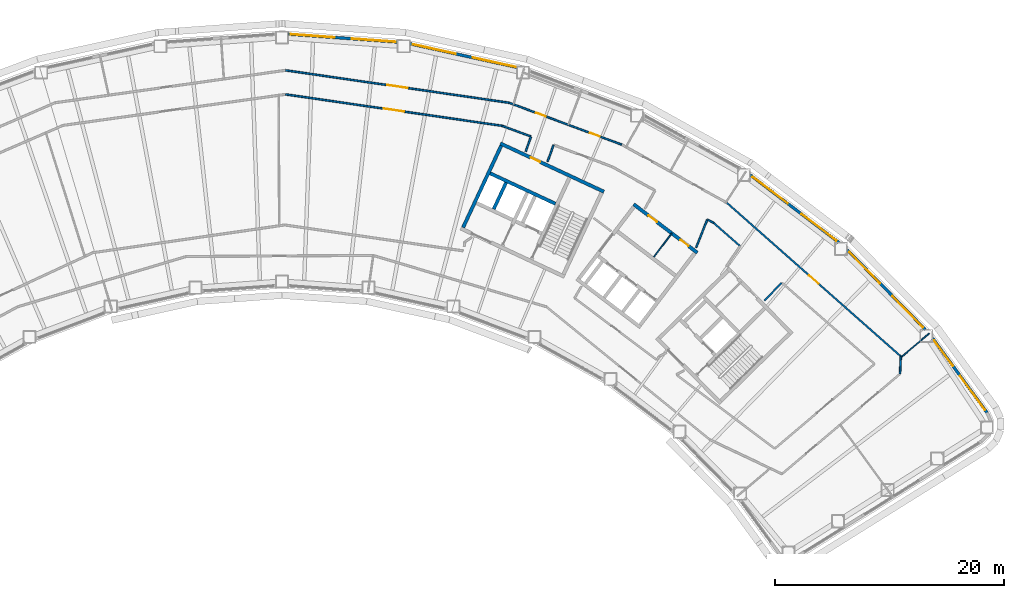
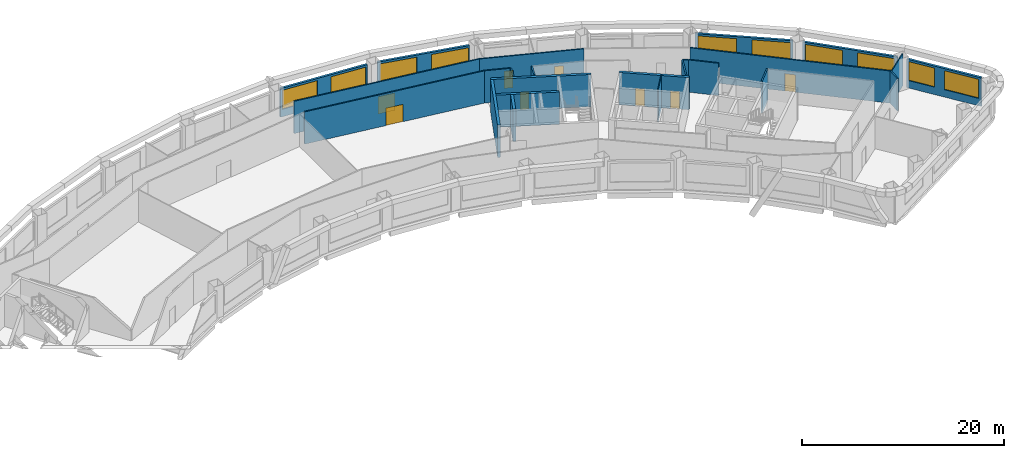
# One storey, part 8 of 12: 24 walls, 10 windows, 8 doors, 18 openings.
"""IFC4 building model written with IfcOpenShell, lengths in metres."""

from ifc_helpers import new_model, si_unit, direction, frame, frame_2d, origin, place, context, subcontext, project, spatial, rectangle, extrude, material, layer, layer_set, type_object, element, fill, save


model = new_model("IFC4")

# Units and contexts
model_context = context("Model", 3, precision=1e-05, world=origin(), true_north=direction((0.0, 1.0)))
body_context = subcontext(model_context, "Body", "Model", "MODEL_VIEW")
ifc_project = project(units=[si_unit("LENGTHUNIT", "METRE"), si_unit("AREAUNIT", "SQUARE_METRE"), si_unit("VOLUMEUNIT", "CUBIC_METRE"), si_unit("PLANEANGLEUNIT", "RADIAN"), si_unit("MASSUNIT", "GRAM", prefix="KILO")], contexts=[model_context])

# Site, building, storey
site_placement = place(None, origin())
site = spatial("IfcSite", under=ifc_project, at=site_placement, CompositionType="ELEMENT")
building_placement = place(site_placement, origin())
building = spatial("IfcBuilding", under=site, at=building_placement, Name="Tuul Gate Civic Tower", CompositionType="ELEMENT")
storey_placement = place(building_placement, frame((0.0, 0.0, 103.5)))
storey = spatial("IfcBuildingStorey", under=building, at=storey_placement, Name="Level 23", CompositionType="ELEMENT", Elevation=103.5)

# Wall
ifc_material_1 = material(Name="Concrete C50/60", Category="concrete")
ifc_layer_1 = layer(ifc_material_1, 0.300048828125)
ifc_layer_set_1 = layer_set([ifc_layer_1], Name="Concrete C50/60")
wall_type_1 = type_object("IfcWallType", Name="Core wall C50/60", PredefinedType="SHEAR", material=ifc_layer_set_1)
wall_1_placement = place(storey_placement, frame((33.75, -0.873779296875, 0.0), z_axis=(0.0, 0.0, 1.0), x_axis=(-0.906300917592, 0.422632992999, 0.0)))
element("IfcWall", 1, at=wall_1_placement, inside=storey, type_object=wall_type_1, Name="Core wall", PredefinedType="SHEAR", context=body_context, shape_type="SweptSolid", body=[
    extrude(rectangle(XDim=6.300048828125, YDim=0.300048828125, at=frame_2d((3.14990234375, 0.0))), origin(), (0.0, 0.0, 1.0), 3.89990234375),
])

# Wall, opening, door
wall_2_placement = place(storey_placement, frame((37.993408203125, 0.181884765625, 0.0), z_axis=(0.0, 0.0, 1.0), x_axis=(-0.906310338845, 0.422612789327, 0.0)))
wall_2 = element("IfcWall", 2, at=wall_2_placement, inside=storey, type_object=wall_type_1, Name="Core wall", PredefinedType="SHEAR", context=body_context, shape_type="SweptSolid", body=[
    extrude(rectangle(XDim=9.999755859375, YDim=0.300048828125, at=frame_2d((5.0, 0.0))), origin(), (0.0, 0.0, 1.0), 3.89990234375),
])
opening_1_placement = place(wall_2_placement, frame((6.175048828125, 0.0, 0.0)))
opening_1 = element("IfcOpeningElement", 3, at=opening_1_placement, cuts=wall_2, Name="Opening G-D31", PredefinedType="OPENING", context=body_context, shape_type="SweptSolid", body=[
    extrude(rectangle(XDim=0.89990234375, YDim=2.10009765625, at=frame_2d((0.449951171875, 1.050048828125))), frame((0.0, 0.16015625, 0.0), z_axis=(0.0, -1.0, 0.0), x_axis=(1.0, 0.0, 0.0)), (0.0, 0.0, 1.0), 0.320068359375),
])
ifc_material_2 = material(Name="Timber door leaf", Category="wood")
door_type_1 = type_object("IfcDoorType", Name="Door D09", OperationType="NOTDEFINED", PredefinedType="DOOR", material=ifc_material_2)
door_1_placement = place(opening_1_placement, origin())
door_1 = element("IfcDoor", 4, at=door_1_placement, inside=storey, type_object=door_type_1, Name="Door G-D31", OperationType="SINGLE_SWING_LEFT", OverallHeight=2.10009765625, OverallWidth=0.89990234375, PredefinedType="DOOR", context=body_context, shape_type="SweptSolid", body=[
    extrude(rectangle(XDim=0.89990234375, YDim=2.10009765625, at=frame_2d((0.449951171875, 1.050048828125))), frame((0.0, 0.02490234375, 0.0), z_axis=(0.0, -1.0, 0.0), x_axis=(1.0, 0.0, 0.0)), (0.0, 0.0, 1.0), 0.050048828125),
])
fill(opening_1, door_1)

# Walls
wall_3_placement = place(storey_placement, frame((28.349365234375, -1.33447265625, 0.0), z_axis=(0.0, 0.0, 1.0), x_axis=(0.422612891016, 0.906310291427, 0.0)))
element("IfcWall", 5, at=wall_3_placement, inside=storey, type_object=wall_type_1, Name="Core wall", PredefinedType="SHEAR", context=body_context, shape_type="SweptSolid", body=[
    extrude(rectangle(XDim=2.550048828125, YDim=0.300048828125, at=frame_2d((1.27490234375, 0.0))), origin(), (0.0, 0.0, 1.0), 3.89990234375),
])
wall_4_placement = place(storey_placement, frame((25.66455078125, -2.951416015625, 0.0), z_axis=(0.0, 0.0, 1.0), x_axis=(0.422582604137, 0.906324413596, 0.0)))
element("IfcWall", 6, at=wall_4_placement, inside=storey, type_object=wall_type_1, Name="Core wall", PredefinedType="SHEAR", context=body_context, shape_type="SweptSolid", body=[
    extrude(rectangle(XDim=7.89990234375, YDim=0.300048828125, at=frame_2d((3.949951171875, 0.0))), origin(), (0.0, 0.0, 1.0), 3.89990234375),
])
ifc_material_3 = material(Name="Gypsum board partition")
ifc_layer_2 = layer(ifc_material_3, 0.14990234375)
ifc_layer_set_2 = layer_set([ifc_layer_2], Name="Gypsum board partition")
wall_type_2 = type_object("IfcWallType", Name="Corridor wall P150", PredefinedType="PARTITIONING", material=ifc_layer_set_2)
wall_5_placement = place(storey_placement, frame((63.896728515625, -15.7587890625, 0.0), z_axis=(0.0, 0.0, 1.0), x_axis=(0.044386550427, 0.999014431398, 0.0)))
element("IfcWall", 7, at=wall_5_placement, inside=storey, type_object=wall_type_2, Name="p005", PredefinedType="PARTITIONING", context=body_context, shape_type="SweptSolid", body=[
    extrude(rectangle(XDim=1.5400390625, YDim=0.14990234375, at=frame_2d((0.77001953125, 0.0))), origin(), (0.0, 0.0, 1.0), 3.89990234375),
])

# Wall, opening, door
wall_6_placement = place(storey_placement, frame((48.749755859375, -0.790283203125, 0.0), z_axis=(0.0, 0.0, 1.0), x_axis=(0.749724450123, -0.66175014083, 0.0)))
wall_6 = element("IfcWall", 8, at=wall_6_placement, inside=storey, type_object=wall_type_2, Name="p006", PredefinedType="PARTITIONING", context=body_context, shape_type="SweptSolid", body=[
    extrude(rectangle(XDim=20.294677734375, YDim=0.14990234375, at=frame_2d((10.1474609375, 0.0))), origin(), (0.0, 0.0, 1.0), 3.89990234375),
])
opening_2_placement = place(wall_6_placement, frame((9.59716796875, 0.0, 0.0)))
opening_2 = element("IfcOpeningElement", 9, at=opening_2_placement, cuts=wall_6, Name="Opening G-D01", PredefinedType="OPENING", context=body_context, shape_type="SweptSolid", body=[
    extrude(rectangle(XDim=1.10009765625, YDim=2.10009765625, at=frame_2d((0.550048828125, 1.050048828125))), frame((0.0, 0.0849609375, 0.0), z_axis=(0.0, -1.0, 0.0), x_axis=(1.0, 0.0, 0.0)), (0.0, 0.0, 1.0), 0.169921875),
])
ifc_material_4 = material(Name="Timber door leaf", Category="wood")
door_type_2 = type_object("IfcDoorType", Name="Door D11", OperationType="NOTDEFINED", PredefinedType="DOOR", material=ifc_material_4)
door_2_placement = place(opening_2_placement, origin())
door_2 = element("IfcDoor", 10, at=door_2_placement, inside=storey, type_object=door_type_2, Name="Door G-D01", OperationType="SINGLE_SWING_RIGHT", OverallHeight=2.10009765625, OverallWidth=1.10009765625, PredefinedType="DOOR", context=body_context, shape_type="SweptSolid", body=[
    extrude(rectangle(XDim=1.10009765625, YDim=2.10009765625, at=frame_2d((0.550048828125, 1.050048828125))), frame((0.0, 0.02490234375, 0.0), z_axis=(0.0, -1.0, 0.0), x_axis=(1.0, 0.0, 0.0)), (0.0, 0.0, 1.0), 0.050048828125),
])
fill(opening_2, door_2)

# Wall, openings, doors
wall_7_placement = place(storey_placement, frame((29.68896484375, 7.966796875, 0.0), z_axis=(0.0, 0.0, 1.0), x_axis=(0.937344267912, -0.348404539886, 0.0)))
wall_7 = element("IfcWall", 11, at=wall_7_placement, inside=storey, type_object=wall_type_2, Name="p010", PredefinedType="PARTITIONING", context=body_context, shape_type="SweptSolid", body=[
    extrude(rectangle(XDim=10.515380859375, YDim=0.14990234375, at=frame_2d((5.2578125, 0.0))), origin(), (0.0, 0.0, 1.0), 3.89990234375),
])
opening_3_placement = place(wall_7_placement, frame((2.525146484375, 0.0, 0.0)))
opening_3 = element("IfcOpeningElement", 12, at=opening_3_placement, cuts=wall_7, Name="Opening G-D04", PredefinedType="OPENING", context=body_context, shape_type="SweptSolid", body=[
    extrude(rectangle(XDim=0.89990234375, YDim=2.10009765625, at=frame_2d((0.449951171875, 1.050048828125))), frame((0.0, 0.0849609375, 0.0), z_axis=(0.0, -1.0, 0.0), x_axis=(1.0, 0.0, 0.0)), (0.0, 0.0, 1.0), 0.169921875),
])
opening_4_placement = place(wall_7_placement, frame((7.562255859375, 0.0, 0.0)))
opening_4 = element("IfcOpeningElement", 13, at=opening_4_placement, cuts=wall_7, Name="Opening G-D23", PredefinedType="OPENING", context=body_context, shape_type="SweptSolid", body=[
    extrude(rectangle(XDim=0.89990234375, YDim=2.10009765625, at=frame_2d((0.449951171875, 1.050048828125))), frame((0.0, 0.0849609375, 0.0), z_axis=(0.0, -1.0, 0.0), x_axis=(1.0, 0.0, 0.0)), (0.0, 0.0, 1.0), 0.169921875),
])
door_3_placement = place(opening_3_placement, origin())
door_3 = element("IfcDoor", 14, at=door_3_placement, inside=storey, type_object=door_type_1, Name="Door G-D04", OperationType="SINGLE_SWING_RIGHT", OverallHeight=2.10009765625, OverallWidth=0.89990234375, PredefinedType="DOOR", context=body_context, shape_type="SweptSolid", body=[
    extrude(rectangle(XDim=0.89990234375, YDim=2.10009765625, at=frame_2d((0.449951171875, 1.050048828125))), frame((0.0, 0.02490234375, 0.0), z_axis=(0.0, -1.0, 0.0), x_axis=(1.0, 0.0, 0.0)), (0.0, 0.0, 1.0), 0.050048828125),
])
fill(opening_3, door_3)
door_4_placement = place(opening_4_placement, origin())
door_4 = element("IfcDoor", 15, at=door_4_placement, inside=storey, type_object=door_type_1, Name="Door G-D23", OperationType="SINGLE_SWING_RIGHT", OverallHeight=2.10009765625, OverallWidth=0.89990234375, PredefinedType="DOOR", context=body_context, shape_type="SweptSolid", body=[
    extrude(rectangle(XDim=0.89990234375, YDim=2.10009765625, at=frame_2d((0.449951171875, 1.050048828125))), frame((0.0, 0.02490234375, 0.0), z_axis=(0.0, -1.0, 0.0), x_axis=(1.0, 0.0, 0.0)), (0.0, 0.0, 1.0), 0.050048828125),
])
fill(opening_4, door_4)

# Wall, opening, door
wall_8_placement = place(storey_placement, frame((10.135986328125, 10.806640625, 0.0), z_axis=(0.0, 0.0, 1.0), x_axis=(0.989616882265, -0.143730394617, 0.0)))
wall_8 = element("IfcWall", 16, at=wall_8_placement, inside=storey, type_object=wall_type_2, Name="p014", PredefinedType="PARTITIONING", context=body_context, shape_type="SweptSolid", body=[
    extrude(rectangle(XDim=19.758056640625, YDim=0.14990234375, at=frame_2d((9.87890625, 0.0))), origin(), (0.0, 0.0, 1.0), 3.89990234375),
])
opening_5_placement = place(wall_8_placement, frame((8.97900390625, 0.0, 0.0)))
opening_5 = element("IfcOpeningElement", 17, at=opening_5_placement, cuts=wall_8, Name="Opening G-D05", PredefinedType="OPENING", context=body_context, shape_type="SweptSolid", body=[
    extrude(rectangle(XDim=1.800048828125, YDim=2.10009765625, at=frame_2d((0.89990234375, 1.050048828125))), frame((0.0, 0.0849609375, 0.0), z_axis=(0.0, -1.0, 0.0), x_axis=(1.0, 0.0, 0.0)), (0.0, 0.0, 1.0), 0.169921875),
])
ifc_material_5 = material(Name="Timber door leaf, double", Category="wood")
door_type_3 = type_object("IfcDoorType", Name="Door D18", OperationType="DOUBLE_DOOR_SINGLE_SWING", PredefinedType="DOOR", material=ifc_material_5)
door_5_placement = place(opening_5_placement, origin())
door_5 = element("IfcDoor", 18, at=door_5_placement, inside=storey, type_object=door_type_3, Name="Door G-D05", OperationType="DOUBLE_DOOR_SINGLE_SWING", OverallHeight=2.10009765625, OverallWidth=1.800048828125, PredefinedType="DOOR", context=body_context, shape_type="SweptSolid", body=[
    extrude(rectangle(XDim=1.800048828125, YDim=2.10009765625, at=frame_2d((0.89990234375, 1.050048828125))), frame((0.0, 0.02490234375, 0.0), z_axis=(0.0, -1.0, 0.0), x_axis=(1.0, 0.0, 0.0)), (0.0, 0.0, 1.0), 0.050048828125),
])
fill(opening_5, door_5)

# Walls
wall_9_placement = place(storey_placement, frame((52.029296875, -9.351318359375, 0.0), z_axis=(0.0, 0.0, 1.0), x_axis=(0.694027578759, 0.719948414764, 0.0)))
element("IfcWall", 19, at=wall_9_placement, inside=storey, type_object=wall_type_2, Name="p043", PredefinedType="PARTITIONING", context=body_context, shape_type="SweptSolid", body=[
    extrude(rectangle(XDim=2.17578125, YDim=0.14990234375, at=frame_2d((1.087890625, 0.0))), origin(), (0.0, 0.0, 1.0), 3.89990234375),
])
wall_10_placement = place(storey_placement, frame((47.600830078125, -2.55517578125, 0.0), z_axis=(0.0, 0.0, 1.0), x_axis=(0.752088378546, -0.659062266297, 0.0)))
element("IfcWall", 20, at=wall_10_placement, inside=storey, type_object=wall_type_2, Name="p044", PredefinedType="PARTITIONING", context=body_context, shape_type="SweptSolid", body=[
    extrude(rectangle(XDim=3.036376953125, YDim=0.14990234375, at=frame_2d((1.51806640625, 0.0))), origin(), (0.0, 0.0, 1.0), 3.89990234375),
])
wall_11_placement = place(storey_placement, frame((46.061279296875, -4.701171875, 0.0), z_axis=(0.0, 0.0, 1.0), x_axis=(0.369736596623, 0.929136614884, 0.0)))
element("IfcWall", 21, at=wall_11_placement, inside=storey, type_object=wall_type_2, Name="p053", PredefinedType="PARTITIONING", context=body_context, shape_type="SweptSolid", body=[
    extrude(rectangle(XDim=2.6220703125, YDim=0.14990234375, at=frame_2d((1.31103515625, 0.0))), origin(), (0.0, 0.0, 1.0), 3.89990234375),
])
wall_12_placement = place(storey_placement, frame((47.05908203125, -2.2548828125, 0.0), z_axis=(0.0, 0.0, 1.0), x_axis=(0.874998277673, -0.484126031184, 0.0)))
element("IfcWall", 22, at=wall_12_placement, inside=storey, type_object=wall_type_2, Name="p055", PredefinedType="PARTITIONING", context=body_context, shape_type="SweptSolid", body=[
    extrude(rectangle(XDim=0.615234375, YDim=0.14990234375, at=frame_2d((0.3076171875, 0.0))), origin(), (0.0, 0.0, 1.0), 3.89990234375),
])
wall_13_placement = place(storey_placement, frame((33.059326171875, 2.814453125, 0.0), z_axis=(0.0, 0.0, 1.0), x_axis=(0.337142214413, 0.941453730813, 0.0)))
element("IfcWall", 23, at=wall_13_placement, inside=storey, type_object=wall_type_2, Name="p058", PredefinedType="PARTITIONING", context=body_context, shape_type="SweptSolid", body=[
    extrude(rectangle(XDim=1.53515625, YDim=0.14990234375, at=frame_2d((0.767578125, 0.0))), origin(), (0.0, 0.0, 1.0), 3.89990234375),
])
wall_14_placement = place(storey_placement, frame((29.093017578125, 5.94775390625, 0.0), z_axis=(0.0, 0.0, 1.0), x_axis=(0.937354495684, -0.348377021948, 0.0)))
element("IfcWall", 24, at=wall_14_placement, inside=storey, type_object=wall_type_2, Name="p059", PredefinedType="PARTITIONING", context=body_context, shape_type="SweptSolid", body=[
    extrude(rectangle(XDim=2.670654296875, YDim=0.14990234375, at=frame_2d((1.33544921875, 0.0))), origin(), (0.0, 0.0, 1.0), 3.89990234375),
])

# Wall, opening, door
wall_15_placement = place(storey_placement, frame((10.134521484375, 8.700927734375, 0.0), z_axis=(0.0, 0.0, 1.0), x_axis=(0.989617506615, -0.143726095753, 0.0)))
wall_15 = element("IfcWall", 25, at=wall_15_placement, inside=storey, type_object=wall_type_2, Name="p064", PredefinedType="PARTITIONING", context=body_context, shape_type="SweptSolid", body=[
    extrude(rectangle(XDim=19.157470703125, YDim=0.14990234375, at=frame_2d((9.57861328125, 0.0))), origin(), (0.0, 0.0, 1.0), 3.89990234375),
])
opening_6_placement = place(wall_15_placement, frame((8.6787109375, 0.0, 0.0)))
opening_6 = element("IfcOpeningElement", 26, at=opening_6_placement, cuts=wall_15, Name="Opening G-D17", PredefinedType="OPENING", context=body_context, shape_type="SweptSolid", body=[
    extrude(rectangle(XDim=1.800048828125, YDim=2.10009765625, at=frame_2d((0.89990234375, 1.050048828125))), frame((0.0, 0.0849609375, 0.0), z_axis=(0.0, -1.0, 0.0), x_axis=(1.0, 0.0, 0.0)), (0.0, 0.0, 1.0), 0.169921875),
])
door_6_placement = place(opening_6_placement, frame((1.800048828125, 0.0, 0.0), z_axis=(0.0, 0.0, 1.0), x_axis=(-1.0, 0.0, 0.0)))
door_6 = element("IfcDoor", 27, at=door_6_placement, inside=storey, type_object=door_type_3, Name="Door G-D17", OperationType="DOUBLE_DOOR_SINGLE_SWING", OverallHeight=2.10009765625, OverallWidth=1.800048828125, PredefinedType="DOOR", context=body_context, shape_type="SweptSolid", body=[
    extrude(rectangle(XDim=1.800048828125, YDim=2.10009765625, at=frame_2d((0.900146484375, 1.050048828125))), frame((0.0, 0.02490234375, 0.0), z_axis=(0.0, -1.0, 0.0), x_axis=(1.0, 0.0, 0.0)), (0.0, 0.0, 1.0), 0.050048828125),
])
fill(opening_6, door_6)

# Wall
wall_16_placement = place(storey_placement, frame((31.148193359375, 3.705078125, 0.0), z_axis=(0.0, 0.0, 1.0), x_axis=(0.336789091407, 0.941580112316, 0.0)))
element("IfcWall", 28, at=wall_16_placement, inside=storey, type_object=wall_type_2, Name="p065", PredefinedType="PARTITIONING", context=body_context, shape_type="SweptSolid", body=[
    extrude(rectangle(XDim=1.366455078125, YDim=0.14990234375, at=frame_2d((0.68310546875, 0.0))), origin(), (0.0, 0.0, 1.0), 3.89990234375),
])

# Wall, openings, windows
ifc_material_6 = material(Name="Precast concrete C40/50", Category="concrete")
ifc_layer_3 = layer(ifc_material_6, 0.25)
ifc_layer_set_3 = layer_set([ifc_layer_3], Name="Precast concrete C40/50")
wall_type_3 = type_object("IfcWallType", Name="External wall", PredefinedType="STANDARD", material=ifc_layer_set_3)
wall_17_placement = place(storey_placement, frame((71.51806640625, -19.15869140625, 0.0), z_axis=(0.0, 0.0, 1.0), x_axis=(-0.589826474226, 0.807530018205, 0.0)))
wall_17 = element("IfcWall", 29, at=wall_17_placement, inside=storey, type_object=wall_type_3, Name="External wall", PredefinedType="STANDARD", context=body_context, shape_type="SweptSolid", body=[
    extrude(rectangle(XDim=8.082275390625, YDim=0.25, at=frame_2d((4.041015625, 0.0))), origin(), (0.0, 0.0, 1.0), 3.449951171875),
])
opening_7_placement = place(wall_17_placement, frame((0.30078125, 0.0, 0.89990234375)))
opening_7 = element("IfcOpeningElement", 30, at=opening_7_placement, cuts=wall_17, Name="Opening W21", PredefinedType="OPENING", context=body_context, shape_type="SweptSolid", body=[
    extrude(rectangle(XDim=3.699951171875, YDim=2.300048828125, at=frame_2d((1.85009765625, 1.14990234375))), frame((0.0, 0.135009765625, 0.0), z_axis=(0.0, -1.0, 0.0), x_axis=(1.0, 0.0, 0.0)), (0.0, 0.0, 1.0), 0.27001953125),
])
opening_8_placement = place(wall_17_placement, frame((5.052001953125, 0.0, 0.89990234375)))
opening_8 = element("IfcOpeningElement", 31, at=opening_8_placement, cuts=wall_17, Name="Opening W23", PredefinedType="OPENING", context=body_context, shape_type="SweptSolid", body=[
    extrude(rectangle(XDim=2.800048828125, YDim=2.300048828125, at=frame_2d((1.39990234375, 1.14990234375))), frame((0.0, 0.135009765625, 0.0), z_axis=(0.0, -1.0, 0.0), x_axis=(1.0, 0.0, 0.0)), (0.0, 0.0, 1.0), 0.27001953125),
])
ifc_material_7 = material(Name="Glass", Category="glass")
window_type_1 = type_object("IfcWindowType", Name="Window W21 3700 x 2300", PartitioningType="SINGLE_PANEL", PredefinedType="WINDOW", material=ifc_material_7)
window_1_placement = place(opening_7_placement, origin())
window_1 = element("IfcWindow", 32, at=window_1_placement, inside=storey, type_object=window_type_1, Name="Window", OverallHeight=2.300048828125, OverallWidth=3.699951171875, PartitioningType="SINGLE_PANEL", PredefinedType="WINDOW", context=body_context, shape_type="SweptSolid", body=[
    extrude(rectangle(XDim=3.699951171875, YDim=2.300048828125, at=frame_2d((1.85009765625, 1.14990234375))), frame((0.0, 0.030029296875, 0.0), z_axis=(0.0, -1.0, 0.0), x_axis=(1.0, 0.0, 0.0)), (0.0, 0.0, 1.0), 0.06005859375),
])
fill(opening_7, window_1)
ifc_material_8 = material(Name="Glass", Category="glass")
window_type_2 = type_object("IfcWindowType", Name="Window W23 2800 x 2300", PartitioningType="SINGLE_PANEL", PredefinedType="WINDOW", material=ifc_material_8)
window_2_placement = place(opening_8_placement, origin())
window_2 = element("IfcWindow", 33, at=window_2_placement, inside=storey, type_object=window_type_2, Name="Window", OverallHeight=2.300048828125, OverallWidth=2.800048828125, PartitioningType="SINGLE_PANEL", PredefinedType="WINDOW", context=body_context, shape_type="SweptSolid", body=[
    extrude(rectangle(XDim=2.800048828125, YDim=2.300048828125, at=frame_2d((1.39990234375, 1.14990234375))), frame((0.0, 0.030029296875, 0.0), z_axis=(0.0, -1.0, 0.0), x_axis=(1.0, 0.0, 0.0)), (0.0, 0.0, 1.0), 0.06005859375),
])
fill(opening_8, window_2)

wall_18_placement = place(storey_placement, frame((66.1162109375, -11.87890625, 0.0), z_axis=(0.0, 0.0, 1.0), x_axis=(-0.700013456131, 0.714129652959, 0.0)))
wall_18 = element("IfcWall", 34, at=wall_18_placement, inside=storey, type_object=wall_type_3, Name="External wall", PredefinedType="STANDARD", context=body_context, shape_type="SweptSolid", body=[
    extrude(rectangle(XDim=9.771728515625, YDim=0.25, at=frame_2d((4.8857421875, 0.0))), origin(), (0.0, 0.0, 1.0), 3.449951171875),
])
opening_9_placement = place(wall_18_placement, frame((0.275634765625, 0.0, 0.89990234375)))
opening_9 = element("IfcOpeningElement", 35, at=opening_9_placement, cuts=wall_18, Name="Opening W22", PredefinedType="OPENING", context=body_context, shape_type="SweptSolid", body=[
    extrude(rectangle(XDim=3.85009765625, YDim=2.300048828125, at=frame_2d((1.925048828125, 1.14990234375))), frame((0.0, 0.135009765625, 0.0), z_axis=(0.0, -1.0, 0.0), x_axis=(1.0, 0.0, 0.0)), (0.0, 0.0, 1.0), 0.27001953125),
])
opening_10_placement = place(wall_18_placement, frame((5.64697265625, 0.0, 0.89990234375)))
opening_10 = element("IfcOpeningElement", 36, at=opening_10_placement, cuts=wall_18, Name="Opening W22", PredefinedType="OPENING", context=body_context, shape_type="SweptSolid", body=[
    extrude(rectangle(XDim=3.85009765625, YDim=2.300048828125, at=frame_2d((1.925048828125, 1.14990234375))), frame((0.0, 0.135009765625, 0.0), z_axis=(0.0, -1.0, 0.0), x_axis=(1.0, 0.0, 0.0)), (0.0, 0.0, 1.0), 0.27001953125),
])
ifc_material_9 = material(Name="Glass", Category="glass")
window_type_3 = type_object("IfcWindowType", Name="Window W22 3850 x 2300", PartitioningType="SINGLE_PANEL", PredefinedType="WINDOW", material=ifc_material_9)
window_3_placement = place(opening_9_placement, origin())
window_3 = element("IfcWindow", 37, at=window_3_placement, inside=storey, type_object=window_type_3, Name="Window", OverallHeight=2.300048828125, OverallWidth=3.85009765625, PartitioningType="SINGLE_PANEL", PredefinedType="WINDOW", context=body_context, shape_type="SweptSolid", body=[
    extrude(rectangle(XDim=3.85009765625, YDim=2.300048828125, at=frame_2d((1.925048828125, 1.14990234375))), frame((0.0, 0.030029296875, 0.0), z_axis=(0.0, -1.0, 0.0), x_axis=(1.0, 0.0, 0.0)), (0.0, 0.0, 1.0), 0.06005859375),
])
fill(opening_9, window_3)
window_4_placement = place(opening_10_placement, origin())
window_4 = element("IfcWindow", 38, at=window_4_placement, inside=storey, type_object=window_type_3, Name="Window", OverallHeight=2.300048828125, OverallWidth=3.85009765625, PartitioningType="SINGLE_PANEL", PredefinedType="WINDOW", context=body_context, shape_type="SweptSolid", body=[
    extrude(rectangle(XDim=3.85009765625, YDim=2.300048828125, at=frame_2d((1.925048828125, 1.14990234375))), frame((0.0, 0.030029296875, 0.0), z_axis=(0.0, -1.0, 0.0), x_axis=(1.0, 0.0, 0.0)), (0.0, 0.0, 1.0), 0.06005859375),
])
fill(opening_10, window_4)

wall_19_placement = place(storey_placement, frame((58.540283203125, -4.25390625, 0.0), z_axis=(0.0, 0.0, 1.0), x_axis=(-0.795623043201, 0.605792021346, 0.0)))
wall_19 = element("IfcWall", 39, at=wall_19_placement, inside=storey, type_object=wall_type_3, Name="External wall", PredefinedType="STANDARD", context=body_context, shape_type="SweptSolid", body=[
    extrude(rectangle(XDim=9.75244140625, YDim=0.25, at=frame_2d((4.876220703125, 0.0))), origin(), (0.0, 0.0, 1.0), 3.449951171875),
])
opening_11_placement = place(wall_19_placement, frame((0.24658203125, 0.0, 0.89990234375)))
opening_11 = element("IfcOpeningElement", 40, at=opening_11_placement, cuts=wall_19, Name="Opening W22", PredefinedType="OPENING", context=body_context, shape_type="SweptSolid", body=[
    extrude(rectangle(XDim=3.85009765625, YDim=2.300048828125, at=frame_2d((1.925048828125, 1.14990234375))), frame((0.0, 0.135009765625, 0.0), z_axis=(0.0, -1.0, 0.0), x_axis=(1.0, 0.0, 0.0)), (0.0, 0.0, 1.0), 0.27001953125),
])
opening_12_placement = place(wall_19_placement, frame((5.617919921875, 0.0, 0.89990234375)))
opening_12 = element("IfcOpeningElement", 41, at=opening_12_placement, cuts=wall_19, Name="Opening W22", PredefinedType="OPENING", context=body_context, shape_type="SweptSolid", body=[
    extrude(rectangle(XDim=3.85009765625, YDim=2.300048828125, at=frame_2d((1.925048828125, 1.14990234375))), frame((0.0, 0.135009765625, 0.0), z_axis=(0.0, -1.0, 0.0), x_axis=(1.0, 0.0, 0.0)), (0.0, 0.0, 1.0), 0.27001953125),
])
window_5_placement = place(opening_11_placement, origin())
window_5 = element("IfcWindow", 42, at=window_5_placement, inside=storey, type_object=window_type_3, Name="Window", OverallHeight=2.300048828125, OverallWidth=3.85009765625, PartitioningType="SINGLE_PANEL", PredefinedType="WINDOW", context=body_context, shape_type="SweptSolid", body=[
    extrude(rectangle(XDim=3.85009765625, YDim=2.300048828125, at=frame_2d((1.925048828125, 1.14990234375))), frame((0.0, 0.030029296875, 0.0), z_axis=(0.0, -1.0, 0.0), x_axis=(1.0, 0.0, 0.0)), (0.0, 0.0, 1.0), 0.06005859375),
])
fill(opening_11, window_5)
window_6_placement = place(opening_12_placement, origin())
window_6 = element("IfcWindow", 43, at=window_6_placement, inside=storey, type_object=window_type_3, Name="Window", OverallHeight=2.300048828125, OverallWidth=3.85009765625, PartitioningType="SINGLE_PANEL", PredefinedType="WINDOW", context=body_context, shape_type="SweptSolid", body=[
    extrude(rectangle(XDim=3.85009765625, YDim=2.300048828125, at=frame_2d((1.925048828125, 1.14990234375))), frame((0.0, 0.030029296875, 0.0), z_axis=(0.0, -1.0, 0.0), x_axis=(1.0, 0.0, 0.0)), (0.0, 0.0, 1.0), 0.06005859375),
])
fill(opening_12, window_6)

wall_20_placement = place(storey_placement, frame((30.35498046875, 11.070556640625, 0.0), z_axis=(0.0, 0.0, 1.0), x_axis=(-0.976562109563, 0.215235792019, 0.0)))
wall_20 = element("IfcWall", 44, at=wall_20_placement, inside=storey, type_object=wall_type_3, Name="External wall", PredefinedType="STANDARD", context=body_context, shape_type="SweptSolid", body=[
    extrude(rectangle(XDim=9.55078125, YDim=0.25, at=frame_2d((4.775390625, 0.0))), origin(), (0.0, 0.0, 1.0), 3.449951171875),
])
opening_13_placement = place(wall_20_placement, frame((0.093017578125, 0.0, 0.89990234375)))
opening_13 = element("IfcOpeningElement", 45, at=opening_13_placement, cuts=wall_20, Name="Opening W22", PredefinedType="OPENING", context=body_context, shape_type="SweptSolid", body=[
    extrude(rectangle(XDim=3.85009765625, YDim=2.300048828125, at=frame_2d((1.925048828125, 1.14990234375))), frame((0.0, 0.135009765625, 0.0), z_axis=(0.0, -1.0, 0.0), x_axis=(1.0, 0.0, 0.0)), (0.0, 0.0, 1.0), 0.27001953125),
])
opening_14_placement = place(wall_20_placement, frame((5.46435546875, 0.0, 0.89990234375)))
opening_14 = element("IfcOpeningElement", 46, at=opening_14_placement, cuts=wall_20, Name="Opening W22", PredefinedType="OPENING", context=body_context, shape_type="SweptSolid", body=[
    extrude(rectangle(XDim=3.85009765625, YDim=2.300048828125, at=frame_2d((1.925048828125, 1.14990234375))), frame((0.0, 0.135009765625, 0.0), z_axis=(0.0, -1.0, 0.0), x_axis=(1.0, 0.0, 0.0)), (0.0, 0.0, 1.0), 0.27001953125),
])
window_7_placement = place(opening_13_placement, origin())
window_7 = element("IfcWindow", 47, at=window_7_placement, inside=storey, type_object=window_type_3, Name="Window", OverallHeight=2.300048828125, OverallWidth=3.85009765625, PartitioningType="SINGLE_PANEL", PredefinedType="WINDOW", context=body_context, shape_type="SweptSolid", body=[
    extrude(rectangle(XDim=3.85009765625, YDim=2.300048828125, at=frame_2d((1.925048828125, 1.14990234375))), frame((0.0, 0.030029296875, 0.0), z_axis=(0.0, -1.0, 0.0), x_axis=(1.0, 0.0, 0.0)), (0.0, 0.0, 1.0), 0.06005859375),
])
fill(opening_13, window_7)
window_8_placement = place(opening_14_placement, origin())
window_8 = element("IfcWindow", 48, at=window_8_placement, inside=storey, type_object=window_type_3, Name="Window", OverallHeight=2.300048828125, OverallWidth=3.85009765625, PartitioningType="SINGLE_PANEL", PredefinedType="WINDOW", context=body_context, shape_type="SweptSolid", body=[
    extrude(rectangle(XDim=3.85009765625, YDim=2.300048828125, at=frame_2d((1.925048828125, 1.14990234375))), frame((0.0, 0.030029296875, 0.0), z_axis=(0.0, -1.0, 0.0), x_axis=(1.0, 0.0, 0.0)), (0.0, 0.0, 1.0), 0.06005859375),
])
fill(opening_14, window_8)

wall_21_placement = place(storey_placement, frame((19.927978515625, 13.2802734375, 0.0), z_axis=(0.0, 0.0, 1.0), x_axis=(-0.997379785239, 0.072343375623, 0.0)))
wall_21 = element("IfcWall", 49, at=wall_21_placement, inside=storey, type_object=wall_type_3, Name="External wall", PredefinedType="STANDARD", context=body_context, shape_type="SweptSolid", body=[
    extrude(rectangle(XDim=9.57421875, YDim=0.25, at=frame_2d((4.787109375, 0.0))), origin(), (0.0, 0.0, 1.0), 3.449951171875),
])
opening_15_placement = place(wall_21_placement, frame((0.153076171875, 0.0, 0.89990234375)))
opening_15 = element("IfcOpeningElement", 50, at=opening_15_placement, cuts=wall_21, Name="Opening W22", PredefinedType="OPENING", context=body_context, shape_type="SweptSolid", body=[
    extrude(rectangle(XDim=3.85009765625, YDim=2.300048828125, at=frame_2d((1.925048828125, 1.14990234375))), frame((0.0, 0.135009765625, 0.0), z_axis=(0.0, -1.0, 0.0), x_axis=(1.0, 0.0, 0.0)), (0.0, 0.0, 1.0), 0.27001953125),
])
opening_16_placement = place(wall_21_placement, frame((5.524169921875, 0.0, 0.89990234375)))
opening_16 = element("IfcOpeningElement", 51, at=opening_16_placement, cuts=wall_21, Name="Opening W22", PredefinedType="OPENING", context=body_context, shape_type="SweptSolid", body=[
    extrude(rectangle(XDim=3.85009765625, YDim=2.300048828125, at=frame_2d((1.925048828125, 1.14990234375))), frame((0.0, 0.135009765625, 0.0), z_axis=(0.0, -1.0, 0.0), x_axis=(1.0, 0.0, 0.0)), (0.0, 0.0, 1.0), 0.27001953125),
])
window_9_placement = place(opening_15_placement, origin())
window_9 = element("IfcWindow", 52, at=window_9_placement, inside=storey, type_object=window_type_3, Name="Window", OverallHeight=2.300048828125, OverallWidth=3.85009765625, PartitioningType="SINGLE_PANEL", PredefinedType="WINDOW", context=body_context, shape_type="SweptSolid", body=[
    extrude(rectangle(XDim=3.85009765625, YDim=2.300048828125, at=frame_2d((1.925048828125, 1.14990234375))), frame((0.0, 0.030029296875, 0.0), z_axis=(0.0, -1.0, 0.0), x_axis=(1.0, 0.0, 0.0)), (0.0, 0.0, 1.0), 0.06005859375),
])
fill(opening_15, window_9)
window_10_placement = place(opening_16_placement, origin())
window_10 = element("IfcWindow", 53, at=window_10_placement, inside=storey, type_object=window_type_3, Name="Window", OverallHeight=2.300048828125, OverallWidth=3.85009765625, PartitioningType="SINGLE_PANEL", PredefinedType="WINDOW", context=body_context, shape_type="SweptSolid", body=[
    extrude(rectangle(XDim=3.85009765625, YDim=2.300048828125, at=frame_2d((1.925048828125, 1.14990234375))), frame((0.0, 0.030029296875, 0.0), z_axis=(0.0, -1.0, 0.0), x_axis=(1.0, 0.0, 0.0)), (0.0, 0.0, 1.0), 0.06005859375),
])
fill(opening_16, window_10)

# Wall, openings, doors
ifc_material_10 = material(Name="Concrete C40/50", Category="concrete")
ifc_layer_4 = layer(ifc_material_10, 0.300048828125)
ifc_layer_set_4 = layer_set([ifc_layer_4], Name="Concrete C40/50")
wall_type_4 = type_object("IfcWallType", Name="Lift shaft wall C40/50", PredefinedType="STANDARD", material=ifc_layer_set_4)
wall_22_placement = place(storey_placement, frame((46.1591796875, -5.1533203125, 0.0), z_axis=(0.0, 0.0, 1.0), x_axis=(-0.795579811045, 0.605848796531, 0.0)))
wall_22 = element("IfcWall", 54, at=wall_22_placement, inside=storey, type_object=wall_type_4, Name="Shaft wall", PredefinedType="STANDARD", context=body_context, shape_type="SweptSolid", body=[
    extrude(rectangle(XDim=7.0, YDim=0.300048828125, at=frame_2d((3.5, 0.0))), origin(), (0.0, 0.0, 1.0), 3.89990234375),
])
opening_17_placement = place(wall_22_placement, frame((0.949951171875, 0.0, 0.0)))
opening_17 = element("IfcOpeningElement", 55, at=opening_17_placement, cuts=wall_22, Name="Opening G-D27", PredefinedType="OPENING", context=body_context, shape_type="SweptSolid", body=[
    extrude(rectangle(XDim=0.89990234375, YDim=2.10009765625, at=frame_2d((0.449951171875, 1.050048828125))), frame((0.0, 0.16015625, 0.0), z_axis=(0.0, -1.0, 0.0), x_axis=(1.0, 0.0, 0.0)), (0.0, 0.0, 1.0), 0.320068359375),
])
opening_18_placement = place(wall_22_placement, frame((4.449951171875, 0.0, 0.0)))
opening_18 = element("IfcOpeningElement", 56, at=opening_18_placement, cuts=wall_22, Name="Opening G-D28", PredefinedType="OPENING", context=body_context, shape_type="SweptSolid", body=[
    extrude(rectangle(XDim=0.89990234375, YDim=2.10009765625, at=frame_2d((0.449951171875, 1.050048828125))), frame((0.0, 0.16015625, 0.0), z_axis=(0.0, -1.0, 0.0), x_axis=(1.0, 0.0, 0.0)), (0.0, 0.0, 1.0), 0.320068359375),
])
door_7_placement = place(opening_17_placement, origin())
door_7 = element("IfcDoor", 57, at=door_7_placement, inside=storey, type_object=door_type_1, Name="Door G-D27", OperationType="SINGLE_SWING_LEFT", OverallHeight=2.10009765625, OverallWidth=0.89990234375, PredefinedType="DOOR", context=body_context, shape_type="SweptSolid", body=[
    extrude(rectangle(XDim=0.89990234375, YDim=2.10009765625, at=frame_2d((0.449951171875, 1.050048828125))), frame((0.0, 0.02490234375, 0.0), z_axis=(0.0, -1.0, 0.0), x_axis=(1.0, 0.0, 0.0)), (0.0, 0.0, 1.0), 0.050048828125),
])
fill(opening_17, door_7)
door_8_placement = place(opening_18_placement, origin())
door_8 = element("IfcDoor", 58, at=door_8_placement, inside=storey, type_object=door_type_1, Name="Door G-D28", OperationType="SINGLE_SWING_RIGHT", OverallHeight=2.10009765625, OverallWidth=0.89990234375, PredefinedType="DOOR", context=body_context, shape_type="SweptSolid", body=[
    extrude(rectangle(XDim=0.89990234375, YDim=2.10009765625, at=frame_2d((0.449951171875, 1.050048828125))), frame((0.0, 0.02490234375, 0.0), z_axis=(0.0, -1.0, 0.0), x_axis=(1.0, 0.0, 0.0)), (0.0, 0.0, 1.0), 0.050048828125),
])
fill(opening_18, door_8)

# Walls
ifc_material_11 = material(Name="Gypsum board partition")
ifc_layer_5 = layer(ifc_material_11, 0.10009765625)
ifc_layer_set_5 = layer_set([ifc_layer_5], Name="Gypsum board partition")
wall_type_5 = type_object("IfcWallType", Name="Partition P100", PredefinedType="PARTITIONING", material=ifc_layer_set_5)
wall_23_placement = place(storey_placement, frame((63.960205078125, -14.32861328125, 0.0), z_axis=(0.0, 0.0, 1.0), x_axis=(0.762805029837, 0.646628553696, 0.0)))
element("IfcWall", 59, at=wall_23_placement, inside=storey, type_object=wall_type_5, Name="p003", PredefinedType="PARTITIONING", context=body_context, shape_type="SweptSolid", body=[
    extrude(rectangle(XDim=3.267822265625, YDim=0.10009765625, at=frame_2d((1.6337890625, 0.0))), origin(), (0.0, 0.0, 1.0), 3.89990234375),
])
wall_24_placement = place(storey_placement, frame((42.3564453125, -5.525634765625, 0.0), z_axis=(0.0, 0.0, 1.0), x_axis=(0.605768745095, 0.795640765337, 0.0)))
element("IfcWall", 60, at=wall_24_placement, inside=storey, type_object=wall_type_5, Name="bE2-BAND-0", PredefinedType="PARTITIONING", context=body_context, shape_type="SweptSolid", body=[
    extrude(rectangle(XDim=2.599853515625, YDim=0.10009765625, at=frame_2d((1.2998046875, 0.0))), origin(), (0.0, 0.0, 1.0), 3.89990234375),
])

save(model, "model.ifc")
